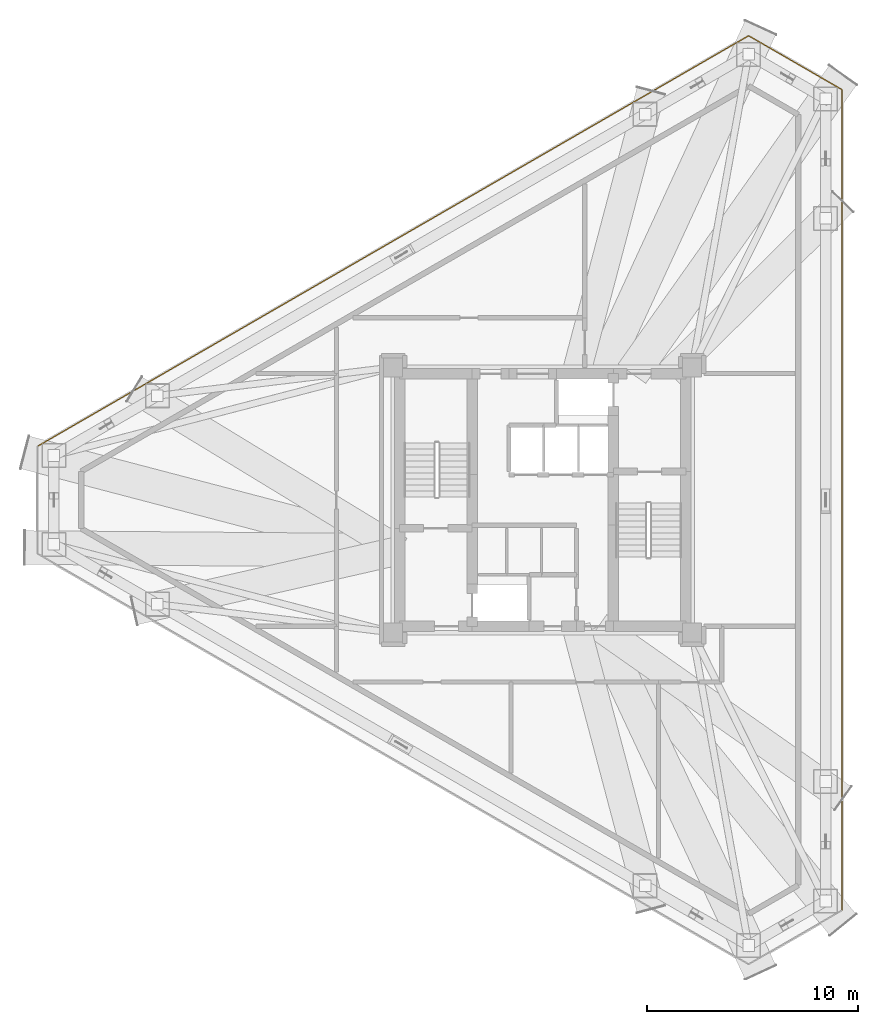
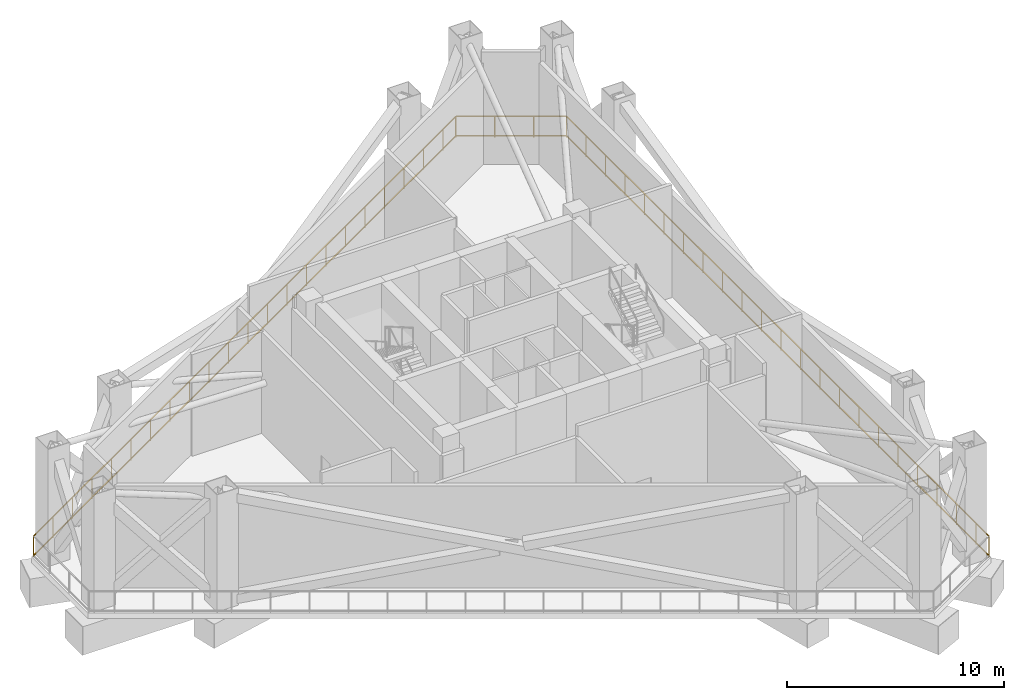
# One storey, part 7 of 7: 3 railings.
"""IFC4 building model written with IfcOpenShell, lengths in metres."""

from ifc_helpers import new_model, si_unit, direction, frame, origin, origin_2d, place, context, subcontext, project, spatial, rectangle, extrude, material, type_object, element, save


model = new_model("IFC4")

# Units and contexts
model_context = context("Model", 3, precision=1e-05, world=origin(), true_north=direction((0.0, 1.0)))
body_context = subcontext(model_context, "Body", "Model", "MODEL_VIEW")
ifc_project = project(units=[si_unit("LENGTHUNIT", "METRE"), si_unit("AREAUNIT", "SQUARE_METRE"), si_unit("VOLUMEUNIT", "CUBIC_METRE"), si_unit("PLANEANGLEUNIT", "RADIAN"), si_unit("MASSUNIT", "GRAM", prefix="KILO")], contexts=[model_context])

# Site, building, storey
site_placement = place(None, origin())
site = spatial("IfcSite", under=ifc_project, at=site_placement, CompositionType="ELEMENT")
building_placement = place(site_placement, origin())
building = spatial("IfcBuilding", under=site, at=building_placement, Name="Mersakhor Tower and Convention Hall", CompositionType="ELEMENT")
storey_placement = place(building_placement, frame((0.0, 0.0, 66.89990234375)))
storey = spatial("IfcBuildingStorey", under=building, at=storey_placement, Name="L18", CompositionType="ELEMENT", Elevation=66.89990234375)

# Railings
ifc_material = material(Name="Powder-coated galvanised steel and laminated glass balustrade", Category="steel")
railing_type = type_object("IfcRailingType", Name="RL-BAL-1200", PredefinedType="BALUSTRADE", material=ifc_material)
railing_1_placement = place(storey_placement, frame((5.0166015625, 29.305419921875, 0.0)))
element("IfcRailing", 1, at=railing_1_placement, inside=storey, type_object=railing_type, Name="L18 Open Wind Deck Perimeter Balustrade 1", PredefinedType="BALUSTRADE", context=body_context, shape_type="SweptSolid", body=[
    extrude(rectangle(XDim=0.048095703125, YDim=0.048095703125, at=origin_2d()), frame((0.0, 0.0, 1.17578125), z_axis=(0.866027488331, 0.499996389441, 0.0), x_axis=(-0.499996389441, 0.866027488331, 0.0)), (0.0, 0.0, 1.0), 38.985107421875),
    extrude(rectangle(XDim=0.048095703125, YDim=0.048095703125, at=origin_2d()), frame((0.0, 0.0, 0.080078125), z_axis=(0.866027488331, 0.499996389441, 0.0), x_axis=(-0.499996389441, 0.866027488331, 0.0)), (0.0, 0.0, 1.0), 38.985107421875),
    extrude(rectangle(XDim=0.0419921875, YDim=0.0419921875, at=origin_2d()), origin(), (0.0, 0.0, 1.0), 1.15185546875),
    extrude(rectangle(XDim=0.0419921875, YDim=0.0419921875, at=origin_2d()), frame((1.558837890625, 0.89990234375, 0.0)), (0.0, 0.0, 1.0), 1.15185546875),
    extrude(rectangle(XDim=0.0419921875, YDim=0.0419921875, at=origin_2d()), frame((3.11767578125, 1.800048828125, 0.0)), (0.0, 0.0, 1.0), 1.15185546875),
    extrude(rectangle(XDim=0.0419921875, YDim=0.0419921875, at=origin_2d()), frame((4.676513671875, 2.699951171875, 0.0)), (0.0, 0.0, 1.0), 1.15185546875),
    extrude(rectangle(XDim=0.0419921875, YDim=0.0419921875, at=origin_2d()), frame((6.2353515625, 3.599853515625, 0.0)), (0.0, 0.0, 1.0), 1.15185546875),
    extrude(rectangle(XDim=0.0419921875, YDim=0.0419921875, at=origin_2d()), frame((7.794189453125, 4.5, 0.0)), (0.0, 0.0, 1.0), 1.15185546875),
    extrude(rectangle(XDim=0.0419921875, YDim=0.0419921875, at=origin_2d()), frame((9.35302734375, 5.39990234375, 0.0)), (0.0, 0.0, 1.0), 1.15185546875),
    extrude(rectangle(XDim=0.0419921875, YDim=0.0419921875, at=origin_2d()), frame((10.911865234375, 6.300048828125, 0.0)), (0.0, 0.0, 1.0), 1.15185546875),
    extrude(rectangle(XDim=0.0419921875, YDim=0.0419921875, at=origin_2d()), frame((12.470703125, 7.199951171875, 0.0)), (0.0, 0.0, 1.0), 1.15185546875),
    extrude(rectangle(XDim=0.0419921875, YDim=0.0419921875, at=origin_2d()), frame((14.029541015625, 8.099853515625, 0.0)), (0.0, 0.0, 1.0), 1.15185546875),
    extrude(rectangle(XDim=0.0419921875, YDim=0.0419921875, at=origin_2d()), frame((15.58837890625, 9.0, 0.0)), (0.0, 0.0, 1.0), 1.15185546875),
    extrude(rectangle(XDim=0.0419921875, YDim=0.0419921875, at=origin_2d()), frame((17.1474609375, 9.89990234375, 0.0)), (0.0, 0.0, 1.0), 1.15185546875),
    extrude(rectangle(XDim=0.0419921875, YDim=0.0419921875, at=origin_2d()), frame((18.706298828125, 10.7998046875, 0.0)), (0.0, 0.0, 1.0), 1.15185546875),
    extrude(rectangle(XDim=0.0419921875, YDim=0.0419921875, at=origin_2d()), frame((20.26513671875, 11.699951171875, 0.0)), (0.0, 0.0, 1.0), 1.15185546875),
    extrude(rectangle(XDim=0.0419921875, YDim=0.0419921875, at=origin_2d()), frame((21.823974609375, 12.599853515625, 0.0)), (0.0, 0.0, 1.0), 1.15185546875),
    extrude(rectangle(XDim=0.0419921875, YDim=0.0419921875, at=origin_2d()), frame((23.3828125, 13.5, 0.0)), (0.0, 0.0, 1.0), 1.15185546875),
    extrude(rectangle(XDim=0.0419921875, YDim=0.0419921875, at=origin_2d()), frame((24.941650390625, 14.39990234375, 0.0)), (0.0, 0.0, 1.0), 1.15185546875),
    extrude(rectangle(XDim=0.0419921875, YDim=0.0419921875, at=origin_2d()), frame((26.50048828125, 15.2998046875, 0.0)), (0.0, 0.0, 1.0), 1.15185546875),
    extrude(rectangle(XDim=0.0419921875, YDim=0.0419921875, at=origin_2d()), frame((28.059326171875, 16.199951171875, 0.0)), (0.0, 0.0, 1.0), 1.15185546875),
    extrude(rectangle(XDim=0.0419921875, YDim=0.0419921875, at=origin_2d()), frame((29.6181640625, 17.099853515625, 0.0)), (0.0, 0.0, 1.0), 1.15185546875),
    extrude(rectangle(XDim=0.0419921875, YDim=0.0419921875, at=origin_2d()), frame((31.177001953125, 17.999755859375, 0.0)), (0.0, 0.0, 1.0), 1.15185546875),
    extrude(rectangle(XDim=0.0419921875, YDim=0.0419921875, at=origin_2d()), frame((32.73583984375, 18.89990234375, 0.0)), (0.0, 0.0, 1.0), 1.15185546875),
    extrude(rectangle(XDim=0.0419921875, YDim=0.0419921875, at=origin_2d()), frame((33.76220703125, 19.492431640625, 0.0)), (0.0, 0.0, 1.0), 1.15185546875),
])
railing_2_placement = place(storey_placement, frame((38.77880859375, 48.7978515625, 0.0)))
element("IfcRailing", 2, at=railing_2_placement, inside=storey, type_object=railing_type, Name="L18 Open Wind Deck Perimeter Balustrade 2", PredefinedType="BALUSTRADE", context=body_context, shape_type="SweptSolid", body=[
    extrude(rectangle(XDim=0.048095703125, YDim=0.048095703125, at=origin_2d()), frame((0.0, 0.0, 1.17578125), z_axis=(0.866008972139, -0.500028459365, 0.0), x_axis=(0.500028459365, 0.866008972139, 0.0)), (0.0, 0.0, 1.0), 5.110595703125),
    extrude(rectangle(XDim=0.048095703125, YDim=0.048095703125, at=origin_2d()), frame((0.0, 0.0, 0.080078125), z_axis=(0.866008972139, -0.500028459365, 0.0), x_axis=(0.500028459365, 0.866008972139, 0.0)), (0.0, 0.0, 1.0), 5.110595703125),
    extrude(rectangle(XDim=0.0419921875, YDim=0.0419921875, at=origin_2d()), origin(), (0.0, 0.0, 1.0), 1.15185546875),
    extrude(rectangle(XDim=0.0419921875, YDim=0.0419921875, at=origin_2d()), frame((1.558837890625, -0.900146484375, 0.0)), (0.0, 0.0, 1.0), 1.15185546875),
    extrude(rectangle(XDim=0.0419921875, YDim=0.0419921875, at=origin_2d()), frame((3.11767578125, -1.800048828125, 0.0)), (0.0, 0.0, 1.0), 1.15185546875),
    extrude(rectangle(XDim=0.0419921875, YDim=0.0419921875, at=origin_2d()), frame((4.42578125, -2.555419921875, 0.0)), (0.0, 0.0, 1.0), 1.15185546875),
])
railing_3_placement = place(storey_placement, frame((43.20458984375, 46.242431640625, 0.0)))
element("IfcRailing", 3, at=railing_3_placement, inside=storey, type_object=railing_type, Name="L18 Open Wind Deck Perimeter Balustrade 3", PredefinedType="BALUSTRADE", context=body_context, shape_type="SweptSolid", body=[
    extrude(rectangle(XDim=0.048095703125, YDim=0.048095703125, at=origin_2d()), frame((0.0, 0.0, 1.17578125), z_axis=(0.0, -1.0, 0.0), x_axis=(1.0, 0.0, 0.0)), (0.0, 0.0, 1.0), 38.98486328125),
    extrude(rectangle(XDim=0.048095703125, YDim=0.048095703125, at=origin_2d()), frame((0.0, 0.0, 0.080078125), z_axis=(0.0, -1.0, 0.0), x_axis=(1.0, 0.0, 0.0)), (0.0, 0.0, 1.0), 38.98486328125),
    extrude(rectangle(XDim=0.0419921875, YDim=0.0419921875, at=origin_2d()), origin(), (0.0, 0.0, 1.0), 1.15185546875),
    extrude(rectangle(XDim=0.0419921875, YDim=0.0419921875, at=origin_2d()), frame((0.0, -1.800048828125, 0.0)), (0.0, 0.0, 1.0), 1.15185546875),
    extrude(rectangle(XDim=0.0419921875, YDim=0.0419921875, at=origin_2d()), frame((0.0, -3.60009765625, 0.0)), (0.0, 0.0, 1.0), 1.15185546875),
    extrude(rectangle(XDim=0.0419921875, YDim=0.0419921875, at=origin_2d()), frame((0.0, -5.39990234375, 0.0)), (0.0, 0.0, 1.0), 1.15185546875),
    extrude(rectangle(XDim=0.0419921875, YDim=0.0419921875, at=origin_2d()), frame((0.0, -7.199951171875, 0.0)), (0.0, 0.0, 1.0), 1.15185546875),
    extrude(rectangle(XDim=0.0419921875, YDim=0.0419921875, at=origin_2d()), frame((0.0, -9.0, 0.0)), (0.0, 0.0, 1.0), 1.15185546875),
    extrude(rectangle(XDim=0.0419921875, YDim=0.0419921875, at=origin_2d()), frame((0.0, -10.800048828125, 0.0)), (0.0, 0.0, 1.0), 1.15185546875),
    extrude(rectangle(XDim=0.0419921875, YDim=0.0419921875, at=origin_2d()), frame((0.0, -12.60009765625, 0.0)), (0.0, 0.0, 1.0), 1.15185546875),
    extrude(rectangle(XDim=0.0419921875, YDim=0.0419921875, at=origin_2d()), frame((0.0, -14.39990234375, 0.0)), (0.0, 0.0, 1.0), 1.15185546875),
    extrude(rectangle(XDim=0.0419921875, YDim=0.0419921875, at=origin_2d()), frame((0.0, -16.199951171875, 0.0)), (0.0, 0.0, 1.0), 1.15185546875),
    extrude(rectangle(XDim=0.0419921875, YDim=0.0419921875, at=origin_2d()), frame((0.0, -18.0, 0.0)), (0.0, 0.0, 1.0), 1.15185546875),
    extrude(rectangle(XDim=0.0419921875, YDim=0.0419921875, at=origin_2d()), frame((0.0, -19.800048828125, 0.0)), (0.0, 0.0, 1.0), 1.15185546875),
    extrude(rectangle(XDim=0.0419921875, YDim=0.0419921875, at=origin_2d()), frame((0.0, -21.60009765625, 0.0)), (0.0, 0.0, 1.0), 1.15185546875),
    extrude(rectangle(XDim=0.0419921875, YDim=0.0419921875, at=origin_2d()), frame((0.0, -23.39990234375, 0.0)), (0.0, 0.0, 1.0), 1.15185546875),
    extrude(rectangle(XDim=0.0419921875, YDim=0.0419921875, at=origin_2d()), frame((0.0, -25.199951171875, 0.0)), (0.0, 0.0, 1.0), 1.15185546875),
    extrude(rectangle(XDim=0.0419921875, YDim=0.0419921875, at=origin_2d()), frame((0.0, -27.0, 0.0)), (0.0, 0.0, 1.0), 1.15185546875),
    extrude(rectangle(XDim=0.0419921875, YDim=0.0419921875, at=origin_2d()), frame((0.0, -28.800048828125, 0.0)), (0.0, 0.0, 1.0), 1.15185546875),
    extrude(rectangle(XDim=0.0419921875, YDim=0.0419921875, at=origin_2d()), frame((0.0, -30.60009765625, 0.0)), (0.0, 0.0, 1.0), 1.15185546875),
    extrude(rectangle(XDim=0.0419921875, YDim=0.0419921875, at=origin_2d()), frame((0.0, -32.39990234375, 0.0)), (0.0, 0.0, 1.0), 1.15185546875),
    extrude(rectangle(XDim=0.0419921875, YDim=0.0419921875, at=origin_2d()), frame((0.0, -34.199951171875, 0.0)), (0.0, 0.0, 1.0), 1.15185546875),
    extrude(rectangle(XDim=0.0419921875, YDim=0.0419921875, at=origin_2d()), frame((0.0, -36.0, 0.0)), (0.0, 0.0, 1.0), 1.15185546875),
    extrude(rectangle(XDim=0.0419921875, YDim=0.0419921875, at=origin_2d()), frame((0.0, -37.800048828125, 0.0)), (0.0, 0.0, 1.0), 1.15185546875),
    extrude(rectangle(XDim=0.0419921875, YDim=0.0419921875, at=origin_2d()), frame((0.0, -38.98486328125, 0.0)), (0.0, 0.0, 1.0), 1.15185546875),
])

save(model, "model.ifc")
